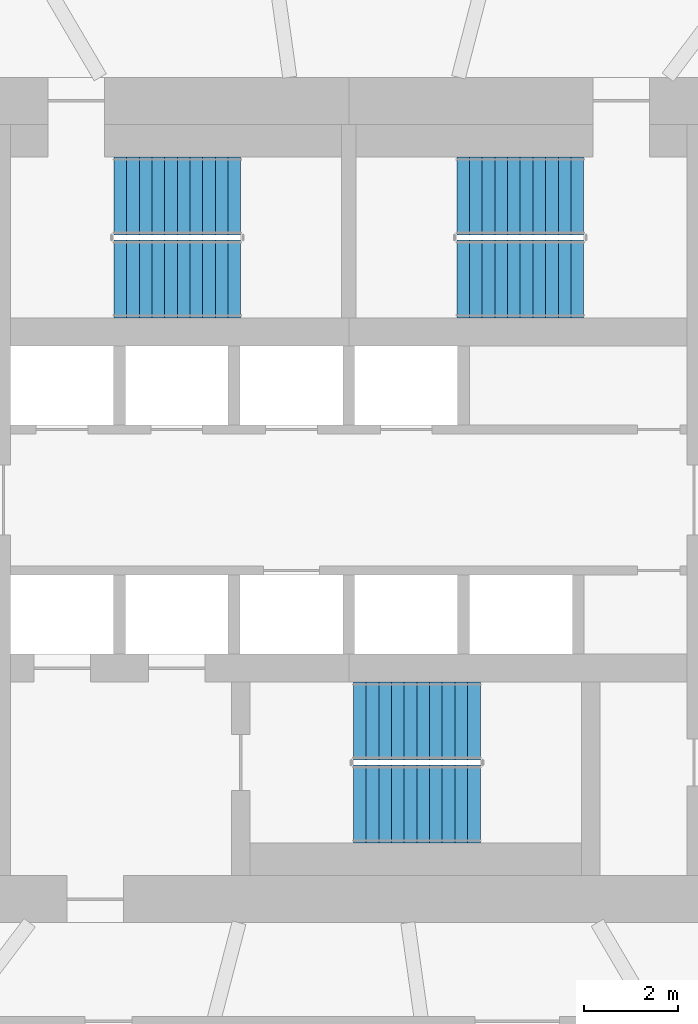
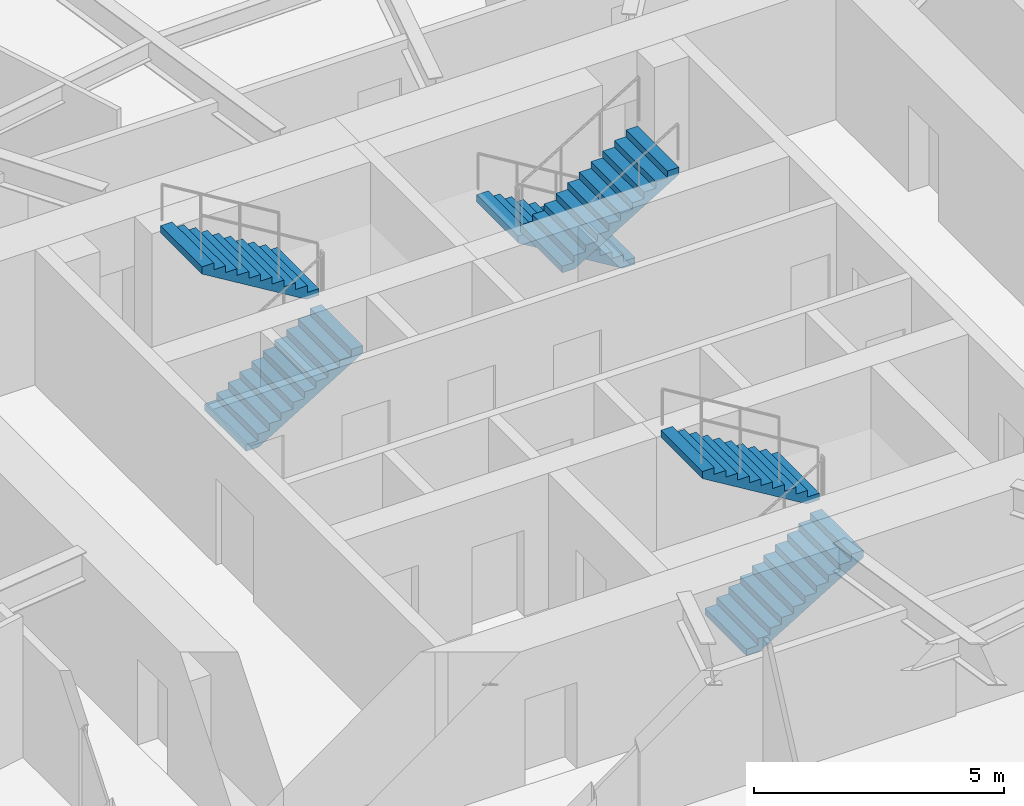
# One storey, part 10 of 14: 6 stair flights, 3 elements without a shape of their own.
"""IFC4 building model written with IfcOpenShell, lengths in metres."""

from ifc_helpers import new_model, si_unit, direction, frame, origin, place, context, subcontext, project, spatial, polyline, outline, extrude, material, type_object, element, aggregate, save


model = new_model("IFC4")

# Units and contexts
model_context = context("Model", 3, precision=1e-05, world=origin(), true_north=direction((0.0, 1.0)))
body_context = subcontext(model_context, "Body", "Model", "MODEL_VIEW")
ifc_project = project(units=[si_unit("LENGTHUNIT", "METRE"), si_unit("AREAUNIT", "SQUARE_METRE"), si_unit("VOLUMEUNIT", "CUBIC_METRE"), si_unit("PLANEANGLEUNIT", "RADIAN"), si_unit("MASSUNIT", "GRAM", prefix="KILO")], contexts=[model_context])

# Site, building, storey
site_placement = place(None, origin())
site = spatial("IfcSite", under=ifc_project, at=site_placement, CompositionType="ELEMENT")
building_placement = place(site_placement, origin())
building = spatial("IfcBuilding", under=site, at=building_placement, Name="Vermilion Reach Broadcast Tower", CompositionType="ELEMENT")
storey_placement = place(building_placement, frame((0.0, 0.0, 106.60009765625)))
storey = spatial("IfcBuildingStorey", under=building, at=storey_placement, Name="L24", CompositionType="ELEMENT", Elevation=106.60009765625)

# Stair, stair flights
ifc_material_1 = material(Name="Concrete C40", Category="concrete")
stair_type = type_object("IfcStairType", Name="Exit stair RC 22 risers 164 mm", PredefinedType="HALF_TURN_STAIR", material=ifc_material_1)
placement = place(storey_placement, origin())
stair_1 = element("IfcStair", 1, at=placement, inside=storey, type_object=stair_type, Name="L24 Exit stair ST1", PredefinedType="HALF_TURN_STAIR")
ifc_material_2 = material(Name="Concrete C40", Category="concrete")
stair_flight_type = type_object("IfcStairFlightType", Name="Exit stair flight RC 11 risers", PredefinedType="STRAIGHT", material=ifc_material_2)
stair_flight_1_placement = place(storey_placement, frame((-11.0, 4.7099609375, 0.0), z_axis=(0.0, 0.0, 1.0), x_axis=(1.0, 0.0, 0.0)))
stair_flight_1 = element("IfcStairFlight", 2, at=stair_flight_1_placement, type_object=stair_flight_type, Name="ST1 flight 1", NumberOfRisers=11, NumberOfTreads=10, PredefinedType="STRAIGHT", RiserHeight=0.163636364, TreadLength=0.27, context=body_context, shape_type="SweptSolid", body=[
    extrude(outline(polyline([(0.0, 0.0), (0.0, 0.16357421875), (0.27001953125, 0.16357421875), (0.27001953125, 0.327392578125), (0.5400390625, 0.327392578125), (0.5400390625, 0.490966796875), (0.81005859375, 0.490966796875), (0.81005859375, 0.654541015625), (1.080078125, 0.654541015625), (1.080078125, 0.818115234375), (1.35009765625, 0.818115234375), (1.35009765625, 0.98193359375), (1.6201171875, 0.98193359375), (1.6201171875, 1.1455078125), (1.889892578125, 1.1455078125), (1.889892578125, 1.30908203125), (2.159912109375, 1.30908203125), (2.159912109375, 1.47265625), (2.429931640625, 1.47265625), (2.429931640625, 1.636474609375), (2.699951171875, 1.636474609375), (2.699951171875, 1.800048828125), (2.699951171875, 1.461181640625), (0.289306640625, 0.0), (0.0, 0.0)])), frame((0.0, 0.830078125, 0.0), z_axis=(0.0, -1.0, 0.0), x_axis=(1.0, 0.0, 0.0)), (0.0, 0.0, 1.0), 1.659912109375),
])
stair_flight_2_placement = place(storey_placement, frame((-8.300048828125, 6.469970703125, 1.7998046875), z_axis=(0.0, 0.0, 1.0), x_axis=(-1.0, 0.0, 0.0)))
stair_flight_2 = element("IfcStairFlight", 3, at=stair_flight_2_placement, type_object=stair_flight_type, Name="ST1 flight 2", NumberOfRisers=11, NumberOfTreads=10, PredefinedType="STRAIGHT", RiserHeight=0.163636364, TreadLength=0.27, context=body_context, shape_type="SweptSolid", body=[
    extrude(outline(polyline([(0.0, 0.0), (0.0, 0.16357421875), (0.27001953125, 0.16357421875), (0.27001953125, 0.327392578125), (0.5400390625, 0.327392578125), (0.5400390625, 0.490966796875), (0.81005859375, 0.490966796875), (0.81005859375, 0.654541015625), (1.080078125, 0.654541015625), (1.080078125, 0.818115234375), (1.35009765625, 0.818115234375), (1.35009765625, 0.98193359375), (1.6201171875, 0.98193359375), (1.6201171875, 1.1455078125), (1.889892578125, 1.1455078125), (1.889892578125, 1.30908203125), (2.159912109375, 1.30908203125), (2.159912109375, 1.47265625), (2.429931640625, 1.47265625), (2.429931640625, 1.636474609375), (2.699951171875, 1.636474609375), (2.699951171875, 1.800048828125), (2.699951171875, 1.461181640625), (0.289306640625, 0.0), (0.0, 0.0)])), frame((0.0, 0.830078125, 0.0), z_axis=(0.0, -1.0, 0.0), x_axis=(1.0, 0.0, 0.0)), (0.0, 0.0, 1.0), 1.659912109375),
])
aggregate(stair_1, [stair_flight_1, stair_flight_2])

stair_2 = element("IfcStair", 4, at=placement, inside=storey, type_object=stair_type, Name="L24 Exit stair ST2", PredefinedType="HALF_TURN_STAIR")
stair_flight_3_placement = place(storey_placement, frame((-1.0, 6.469970703125, 0.0), z_axis=(0.0, 0.0, 1.0), x_axis=(-1.0, 0.0, 0.0)))
stair_flight_3 = element("IfcStairFlight", 5, at=stair_flight_3_placement, type_object=stair_flight_type, Name="ST2 flight 1", NumberOfRisers=11, NumberOfTreads=10, PredefinedType="STRAIGHT", RiserHeight=0.163636364, TreadLength=0.27, context=body_context, shape_type="SweptSolid", body=[
    extrude(outline(polyline([(0.0, 0.0), (0.0, 0.16357421875), (0.27001953125, 0.16357421875), (0.27001953125, 0.327392578125), (0.5400390625, 0.327392578125), (0.5400390625, 0.490966796875), (0.81005859375, 0.490966796875), (0.81005859375, 0.654541015625), (1.080078125, 0.654541015625), (1.080078125, 0.818115234375), (1.35009765625, 0.818115234375), (1.35009765625, 0.98193359375), (1.6201171875, 0.98193359375), (1.6201171875, 1.1455078125), (1.889892578125, 1.1455078125), (1.889892578125, 1.30908203125), (2.159912109375, 1.30908203125), (2.159912109375, 1.47265625), (2.429931640625, 1.47265625), (2.429931640625, 1.636474609375), (2.699951171875, 1.636474609375), (2.699951171875, 1.800048828125), (2.699951171875, 1.461181640625), (0.289306640625, 0.0), (0.0, 0.0)])), frame((0.0, 0.830078125, 0.0), z_axis=(0.0, -1.0, 0.0), x_axis=(1.0, 0.0, 0.0)), (0.0, 0.0, 1.0), 1.659912109375),
])
stair_flight_4_placement = place(storey_placement, frame((-3.699951171875, 4.7099609375, 1.7998046875), z_axis=(0.0, 0.0, 1.0), x_axis=(1.0, 0.0, 0.0)))
stair_flight_4 = element("IfcStairFlight", 6, at=stair_flight_4_placement, type_object=stair_flight_type, Name="ST2 flight 2", NumberOfRisers=11, NumberOfTreads=10, PredefinedType="STRAIGHT", RiserHeight=0.163636364, TreadLength=0.27, context=body_context, shape_type="SweptSolid", body=[
    extrude(outline(polyline([(0.0, 0.0), (0.0, 0.16357421875), (0.27001953125, 0.16357421875), (0.27001953125, 0.327392578125), (0.5400390625, 0.327392578125), (0.5400390625, 0.490966796875), (0.81005859375, 0.490966796875), (0.81005859375, 0.654541015625), (1.080078125, 0.654541015625), (1.080078125, 0.818115234375), (1.35009765625, 0.818115234375), (1.35009765625, 0.98193359375), (1.6201171875, 0.98193359375), (1.6201171875, 1.1455078125), (1.889892578125, 1.1455078125), (1.889892578125, 1.30908203125), (2.159912109375, 1.30908203125), (2.159912109375, 1.47265625), (2.429931640625, 1.47265625), (2.429931640625, 1.636474609375), (2.699951171875, 1.636474609375), (2.699951171875, 1.800048828125), (2.699951171875, 1.461181640625), (0.289306640625, 0.0), (0.0, 0.0)])), frame((0.0, 0.830078125, 0.0), z_axis=(0.0, -1.0, 0.0), x_axis=(1.0, 0.0, 0.0)), (0.0, 0.0, 1.0), 1.659912109375),
])
aggregate(stair_2, [stair_flight_3, stair_flight_4])

stair_3 = element("IfcStair", 7, at=placement, inside=storey, type_object=stair_type, Name="L24 Exit stair ST3", PredefinedType="HALF_TURN_STAIR")
stair_flight_5_placement = place(storey_placement, frame((-5.89990234375, -6.469970703125, 0.0), z_axis=(0.0, 0.0, 1.0), x_axis=(1.0, 0.0, 0.0)))
stair_flight_5 = element("IfcStairFlight", 8, at=stair_flight_5_placement, type_object=stair_flight_type, Name="ST3 flight 1", NumberOfRisers=11, NumberOfTreads=10, PredefinedType="STRAIGHT", RiserHeight=0.163636364, TreadLength=0.27, context=body_context, shape_type="SweptSolid", body=[
    extrude(outline(polyline([(0.0, 0.0), (0.0, 0.16357421875), (0.27001953125, 0.16357421875), (0.27001953125, 0.327392578125), (0.5400390625, 0.327392578125), (0.5400390625, 0.490966796875), (0.81005859375, 0.490966796875), (0.81005859375, 0.654541015625), (1.080078125, 0.654541015625), (1.080078125, 0.818115234375), (1.35009765625, 0.818115234375), (1.35009765625, 0.98193359375), (1.6201171875, 0.98193359375), (1.6201171875, 1.1455078125), (1.889892578125, 1.1455078125), (1.889892578125, 1.30908203125), (2.159912109375, 1.30908203125), (2.159912109375, 1.47265625), (2.429931640625, 1.47265625), (2.429931640625, 1.636474609375), (2.699951171875, 1.636474609375), (2.699951171875, 1.800048828125), (2.699951171875, 1.461181640625), (0.289306640625, 0.0), (0.0, 0.0)])), frame((0.0, 0.830078125, 0.0), z_axis=(0.0, -1.0, 0.0), x_axis=(1.0, 0.0, 0.0)), (0.0, 0.0, 1.0), 1.659912109375),
])
stair_flight_6_placement = place(storey_placement, frame((-3.199951171875, -4.7099609375, 1.7998046875), z_axis=(0.0, 0.0, 1.0), x_axis=(-1.0, 0.0, 0.0)))
stair_flight_6 = element("IfcStairFlight", 9, at=stair_flight_6_placement, type_object=stair_flight_type, Name="ST3 flight 2", NumberOfRisers=11, NumberOfTreads=10, PredefinedType="STRAIGHT", RiserHeight=0.163636364, TreadLength=0.27, context=body_context, shape_type="SweptSolid", body=[
    extrude(outline(polyline([(0.0, 0.0), (0.0, 0.16357421875), (0.27001953125, 0.16357421875), (0.27001953125, 0.327392578125), (0.5400390625, 0.327392578125), (0.5400390625, 0.490966796875), (0.81005859375, 0.490966796875), (0.81005859375, 0.654541015625), (1.080078125, 0.654541015625), (1.080078125, 0.818115234375), (1.35009765625, 0.818115234375), (1.35009765625, 0.98193359375), (1.6201171875, 0.98193359375), (1.6201171875, 1.1455078125), (1.889892578125, 1.1455078125), (1.889892578125, 1.30908203125), (2.159912109375, 1.30908203125), (2.159912109375, 1.47265625), (2.429931640625, 1.47265625), (2.429931640625, 1.636474609375), (2.699951171875, 1.636474609375), (2.699951171875, 1.800048828125), (2.699951171875, 1.461181640625), (0.289306640625, 0.0), (0.0, 0.0)])), frame((0.0, 0.830078125, 0.0), z_axis=(0.0, -1.0, 0.0), x_axis=(1.0, 0.0, 0.0)), (0.0, 0.0, 1.0), 1.659912109375),
])
aggregate(stair_3, [stair_flight_5, stair_flight_6])

save(model, "model.ifc")
